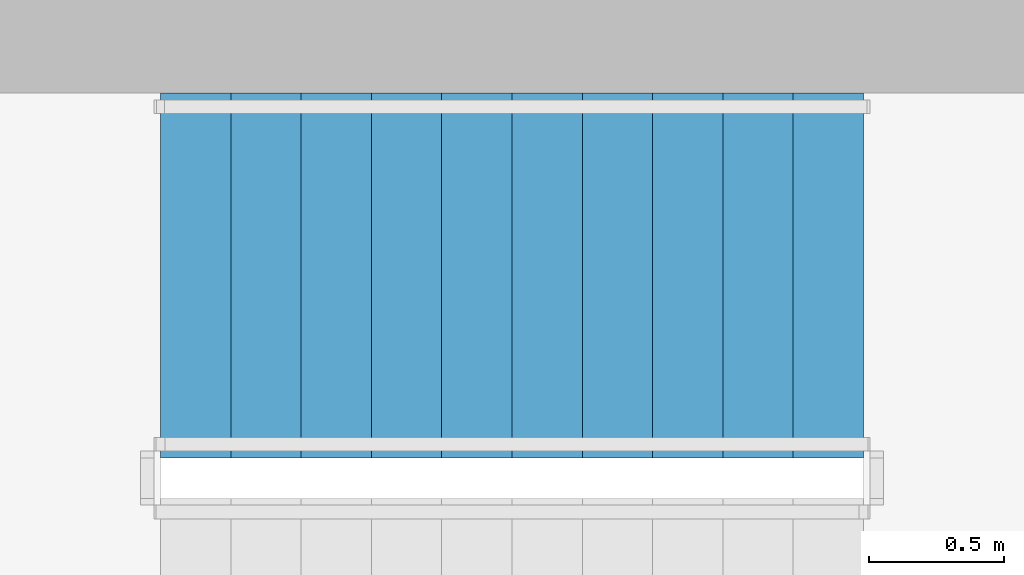
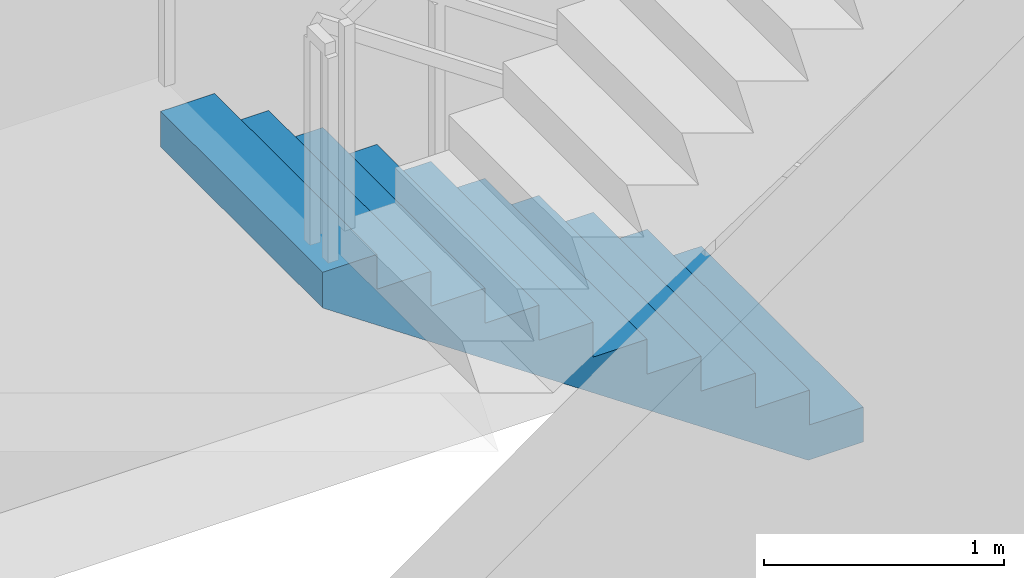
# One storey, part 10 of 15: 1 stair flight, 1 element without a shape of its own.
"""IFC4 building model written with IfcOpenShell, lengths in metres."""

from ifc_helpers import new_model, si_unit, direction, frame, origin, place, context, subcontext, project, spatial, polyline, outline, extrude, material, type_object, element, aggregate, save


model = new_model("IFC4")

# Units and contexts
model_context = context("Model", 3, precision=1e-05, world=origin(), true_north=direction((0.0, 1.0)))
body_context = subcontext(model_context, "Body", "Model", "MODEL_VIEW")
ifc_project = project(units=[si_unit("LENGTHUNIT", "METRE"), si_unit("AREAUNIT", "SQUARE_METRE"), si_unit("VOLUMEUNIT", "CUBIC_METRE"), si_unit("PLANEANGLEUNIT", "RADIAN"), si_unit("MASSUNIT", "GRAM", prefix="KILO")], contexts=[model_context])

# Site, building, storey
site_placement = place(None, origin())
site = spatial("IfcSite", under=ifc_project, at=site_placement, CompositionType="ELEMENT")
building_placement = place(site_placement, origin())
building = spatial("IfcBuilding", under=site, at=building_placement, Name="Khepri Terraces", CompositionType="ELEMENT")
storey_placement = place(building_placement, frame((0.0, 0.0, 252.300048828125)))
storey = spatial("IfcBuildingStorey", under=building, at=storey_placement, Name="L60", CompositionType="ELEMENT", Elevation=252.300048828125)

# Stair, stair flight
ifc_material = material(Name="Concrete C40/50", Category="concrete")
stair_type = type_object("IfcStairType", Name="STAIR-RC-22R", PredefinedType="HALF_TURN_STAIR", material=ifc_material)
stair_placement = place(storey_placement, origin())
stair = element("IfcStair", 1, at=stair_placement, inside=storey, type_object=stair_type, Name="L60 Exit Stair ST-3", PredefinedType="HALF_TURN_STAIR")
stair_flight_type = type_object("IfcStairFlightType", Name="SFL-RC-177.3", PredefinedType="STRAIGHT", material=ifc_material)
stair_flight_placement = place(storey_placement, frame((-0.25, 9.425048828125, 0.0), z_axis=(0.0, 0.0, 1.0), x_axis=(-1.0, 0.0, 0.0)))
stair_flight = element("IfcStairFlight", 2, at=stair_flight_placement, type_object=stair_flight_type, Name="ST-3 flight 1", NumberOfRisers=11, NumberOfTreads=10, PredefinedType="STRAIGHT", RiserHeight=0.177272727, TreadLength=0.26, context=body_context, shape_type="SweptSolid", body=[
    extrude(outline(polyline([(0.0, 0.0), (0.0, 0.17724609375), (0.260009765625, 0.17724609375), (0.260009765625, 0.3544921875), (0.52001953125, 0.3544921875), (0.52001953125, 0.53173828125), (0.780029296875, 0.53173828125), (0.780029296875, 0.708984375), (1.0400390625, 0.708984375), (1.0400390625, 0.886474609375), (1.300048828125, 0.886474609375), (1.300048828125, 1.063720703125), (1.56005859375, 1.063720703125), (1.56005859375, 1.240966796875), (1.820068359375, 1.240966796875), (1.820068359375, 1.418212890625), (2.080078125, 1.418212890625), (2.080078125, 1.595458984375), (2.340087890625, 1.595458984375), (2.340087890625, 1.772705078125), (2.60009765625, 1.772705078125), (2.60009765625, 1.949951171875), (2.60009765625, 1.59130859375), (0.26611328125, 0.0), (0.0, 0.0)])), frame((0.0, 0.675048828125, 0.0), z_axis=(0.0, -1.0, 0.0), x_axis=(1.0, 0.0, 0.0)), (0.0, 0.0, 1.0), 1.35009765625),
])
aggregate(stair, [stair_flight])

save(model, "model.ifc")
